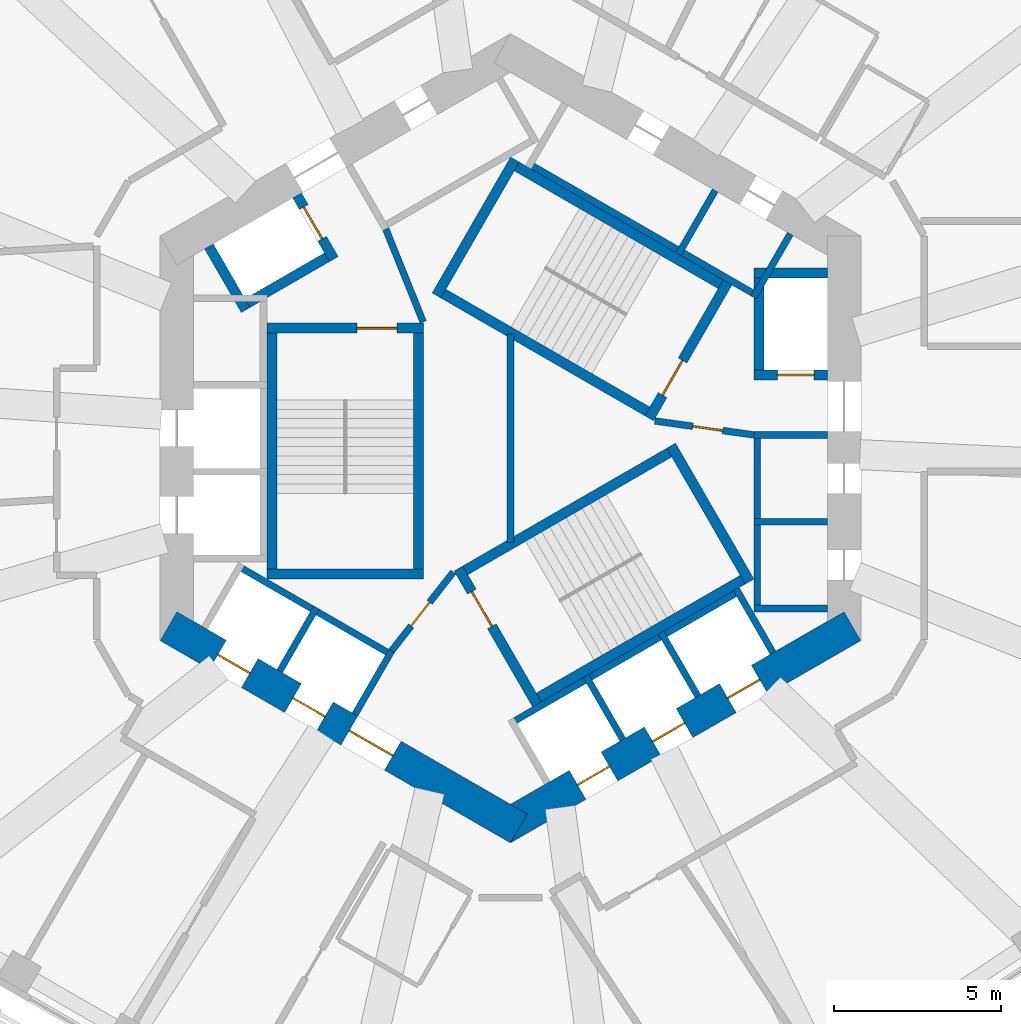
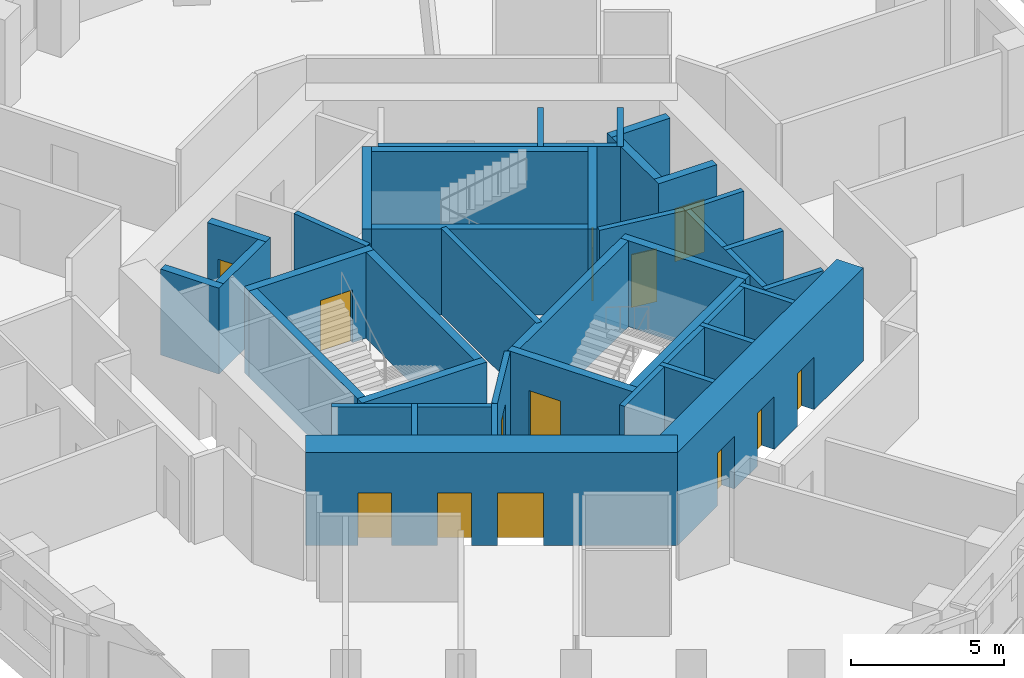
# One storey, part 5 of 10: 38 walls, 13 doors, 13 openings.
"""IFC4 building model written with IfcOpenShell, lengths in metres."""

from ifc_helpers import new_model, si_unit, direction, frame, frame_2d, origin, place, context, subcontext, project, spatial, rectangle, extrude, material, layer, layer_set, type_object, element, fill, save


model = new_model("IFC4")

# Units and contexts
model_context = context("Model", 3, precision=1e-05, world=origin(), true_north=direction((0.0, 1.0)))
body_context = subcontext(model_context, "Body", "Model", "MODEL_VIEW")
ifc_project = project(units=[si_unit("LENGTHUNIT", "METRE"), si_unit("AREAUNIT", "SQUARE_METRE"), si_unit("VOLUMEUNIT", "CUBIC_METRE"), si_unit("PLANEANGLEUNIT", "RADIAN"), si_unit("MASSUNIT", "GRAM", prefix="KILO")], contexts=[model_context])

# Site, building, storey
site_placement = place(None, origin())
site = spatial("IfcSite", under=ifc_project, at=site_placement, CompositionType="ELEMENT")
building_placement = place(site_placement, origin())
building = spatial("IfcBuilding", under=site, at=building_placement, Name="Vanh Sen Convention Tower", CompositionType="ELEMENT")
storey_placement = place(building_placement, frame((0.0, 0.0, 161.39990234375)))
storey = spatial("IfcBuildingStorey", under=building, at=storey_placement, Name="L39", CompositionType="ELEMENT", Elevation=161.39990234375)

# Wall, openings, doors
ifc_material_1 = material(Name="Concrete C80/95", Category="concrete")
ifc_layer_1 = layer(ifc_material_1, 1.0)
ifc_layer_set_1 = layer_set([ifc_layer_1], Name="Concrete C80/95")
wall_type_1 = type_object("IfcWallType", Name="Core outer wall 1000 C80/95", PredefinedType="SHEAR", material=ifc_layer_set_1)
wall_1_placement = place(storey_placement, frame((-10.25, -5.629150390625, 0.0), z_axis=(0.0, 0.0, 1.0), x_axis=(0.866022616891, -0.50000482701, 0.0)))
wall_1 = element("IfcWall", 1, at=wall_1_placement, inside=storey, type_object=wall_type_1, Name="Core wall face SW L39", PredefinedType="SHEAR", context=body_context, shape_type="SweptSolid", body=[
    extrude(rectangle(XDim=12.12451171875, YDim=1.0, at=frame_2d((6.062255859375, 0.0))), origin(), (0.0, 0.0, 1.0), 3.7001953125),
])
opening_1_placement = place(wall_1_placement, frame((6.26220703125, 0.0, 0.0)))
opening_1 = element("IfcOpeningElement", 2, at=opening_1_placement, cuts=wall_1, Name="Opening D38003", PredefinedType="OPENING", context=body_context, shape_type="SweptSolid", body=[
    extrude(rectangle(XDim=1.5, YDim=2.10009765625, at=frame_2d((0.75, 1.050048828125))), frame((0.0, 0.510009765625, 0.0), z_axis=(0.0, -1.0, 0.0), x_axis=(1.0, 0.0, 0.0)), (0.0, 0.0, 1.0), 1.02001953125),
])
opening_2_placement = place(wall_1_placement, frame((1.712158203125, 0.0, 0.0)))
opening_2 = element("IfcOpeningElement", 3, at=opening_2_placement, cuts=wall_1, Name="Opening LD-HR3", PredefinedType="OPENING", context=body_context, shape_type="SweptSolid", body=[
    extrude(rectangle(XDim=1.10009765625, YDim=2.10009765625, at=frame_2d((0.550048828125, 1.050048828125))), frame((0.0, 0.510009765625, 0.0), z_axis=(0.0, -1.0, 0.0), x_axis=(1.0, 0.0, 0.0)), (0.0, 0.0, 1.0), 1.02001953125),
])
opening_3_placement = place(wall_1_placement, frame((4.312255859375, 0.0, 0.0)))
opening_3 = element("IfcOpeningElement", 4, at=opening_3_placement, cuts=wall_1, Name="Opening LD-HR4", PredefinedType="OPENING", context=body_context, shape_type="SweptSolid", body=[
    extrude(rectangle(XDim=1.10009765625, YDim=2.10009765625, at=frame_2d((0.550048828125, 1.050048828125))), frame((0.0, 0.510009765625, 0.0), z_axis=(0.0, -1.0, 0.0), x_axis=(1.0, 0.0, 0.0)), (0.0, 0.0, 1.0), 1.02001953125),
])
ifc_material_2 = material(Name="Stainless steel", Category="steel")
door_type_1 = type_object("IfcDoorType", Name="Lift landing door 1100", OperationType="DOUBLE_DOOR_SLIDING", PredefinedType="DOOR", material=ifc_material_2)
door_1_placement = place(opening_2_placement, origin())
door_1 = element("IfcDoor", 5, at=door_1_placement, inside=storey, type_object=door_type_1, Name="Lift HR3 landing door LD-HR3", OperationType="DOUBLE_DOOR_SLIDING", OverallHeight=2.10009765625, OverallWidth=1.10009765625, PredefinedType="DOOR", context=body_context, shape_type="SweptSolid", body=[
    extrude(rectangle(XDim=1.10009765625, YDim=2.10009765625, at=frame_2d((0.550048828125, 1.050048828125))), frame((0.0, 0.02490234375, 0.0), z_axis=(0.0, -1.0, 0.0), x_axis=(1.0, 0.0, 0.0)), (0.0, 0.0, 1.0), 0.050048828125),
])
fill(opening_2, door_1)
door_2_placement = place(opening_3_placement, origin())
door_2 = element("IfcDoor", 6, at=door_2_placement, inside=storey, type_object=door_type_1, Name="Lift HR4 landing door LD-HR4", OperationType="DOUBLE_DOOR_SLIDING", OverallHeight=2.10009765625, OverallWidth=1.10009765625, PredefinedType="DOOR", context=body_context, shape_type="SweptSolid", body=[
    extrude(rectangle(XDim=1.10009765625, YDim=2.10009765625, at=frame_2d((0.550048828125, 1.050048828125))), frame((0.0, 0.02490234375, 0.0), z_axis=(0.0, -1.0, 0.0), x_axis=(1.0, 0.0, 0.0)), (0.0, 0.0, 1.0), 0.050048828125),
])
fill(opening_3, door_2)
ifc_material_3 = material(Name="Steel S355", Category="steel")
door_type_2 = type_object("IfcDoorType", Name="Stair lobby door 1500", OperationType="DOUBLE_DOOR_SINGLE_SWING", PredefinedType="DOOR", material=ifc_material_3)
door_3_placement = place(opening_1_placement, origin())
door_3 = element("IfcDoor", 7, at=door_3_placement, inside=storey, type_object=door_type_2, Name="Stair lobby door D38003", OperationType="DOUBLE_DOOR_SINGLE_SWING", OverallHeight=2.10009765625, OverallWidth=1.5, PredefinedType="DOOR", context=body_context, shape_type="SweptSolid", body=[
    extrude(rectangle(XDim=1.5, YDim=2.10009765625, at=frame_2d((0.75, 1.050048828125))), frame((0.0, 0.02490234375, 0.0), z_axis=(0.0, -1.0, 0.0), x_axis=(1.0, 0.0, 0.0)), (0.0, 0.0, 1.0), 0.050048828125),
])
fill(opening_1, door_3)

wall_2_placement = place(storey_placement, frame((-0.25, -11.69140625, 0.0), z_axis=(0.0, 0.0, 1.0), x_axis=(0.866022616891, 0.50000482701, 0.0)))
wall_2 = element("IfcWall", 8, at=wall_2_placement, inside=storey, type_object=wall_type_1, Name="Core wall face SE L39", PredefinedType="SHEAR", context=body_context, shape_type="SweptSolid", body=[
    extrude(rectangle(XDim=12.12451171875, YDim=1.0, at=frame_2d((6.062255859375, 0.0))), origin(), (0.0, 0.0, 1.0), 3.7001953125),
])
opening_4_placement = place(wall_2_placement, frame((2.6123046875, 0.0, 0.0)))
opening_4 = element("IfcOpeningElement", 9, at=opening_4_placement, cuts=wall_2, Name="Opening LD-HR5", PredefinedType="OPENING", context=body_context, shape_type="SweptSolid", body=[
    extrude(rectangle(XDim=1.10009765625, YDim=2.10009765625, at=frame_2d((0.550048828125, 1.050048828125))), frame((0.0, 0.510009765625, 0.0), z_axis=(0.0, -1.0, 0.0), x_axis=(1.0, 0.0, 0.0)), (0.0, 0.0, 1.0), 1.02001953125),
])
opening_5_placement = place(wall_2_placement, frame((5.212158203125, 0.0, 0.0)))
opening_5 = element("IfcOpeningElement", 10, at=opening_5_placement, cuts=wall_2, Name="Opening LD-HR6", PredefinedType="OPENING", context=body_context, shape_type="SweptSolid", body=[
    extrude(rectangle(XDim=1.10009765625, YDim=2.10009765625, at=frame_2d((0.550048828125, 1.050048828125))), frame((0.0, 0.510009765625, 0.0), z_axis=(0.0, -1.0, 0.0), x_axis=(1.0, 0.0, 0.0)), (0.0, 0.0, 1.0), 1.02001953125),
])
opening_6_placement = place(wall_2_placement, frame((7.812255859375, 0.0, 0.0)))
opening_6 = element("IfcOpeningElement", 11, at=opening_6_placement, cuts=wall_2, Name="Opening LD-SV1", PredefinedType="OPENING", context=body_context, shape_type="SweptSolid", body=[
    extrude(rectangle(XDim=1.10009765625, YDim=2.10009765625, at=frame_2d((0.550048828125, 1.050048828125))), frame((0.0, 0.510009765625, 0.0), z_axis=(0.0, -1.0, 0.0), x_axis=(1.0, 0.0, 0.0)), (0.0, 0.0, 1.0), 1.02001953125),
])
door_4_placement = place(opening_4_placement, origin())
door_4 = element("IfcDoor", 12, at=door_4_placement, inside=storey, type_object=door_type_1, Name="Lift HR5 landing door LD-HR5", OperationType="DOUBLE_DOOR_SLIDING", OverallHeight=2.10009765625, OverallWidth=1.10009765625, PredefinedType="DOOR", context=body_context, shape_type="SweptSolid", body=[
    extrude(rectangle(XDim=1.10009765625, YDim=2.10009765625, at=frame_2d((0.550048828125, 1.050048828125))), frame((0.0, 0.02490234375, 0.0), z_axis=(0.0, -1.0, 0.0), x_axis=(1.0, 0.0, 0.0)), (0.0, 0.0, 1.0), 0.050048828125),
])
fill(opening_4, door_4)
door_5_placement = place(opening_5_placement, origin())
door_5 = element("IfcDoor", 13, at=door_5_placement, inside=storey, type_object=door_type_1, Name="Lift HR6 landing door LD-HR6", OperationType="DOUBLE_DOOR_SLIDING", OverallHeight=2.10009765625, OverallWidth=1.10009765625, PredefinedType="DOOR", context=body_context, shape_type="SweptSolid", body=[
    extrude(rectangle(XDim=1.10009765625, YDim=2.10009765625, at=frame_2d((0.550048828125, 1.050048828125))), frame((0.0, 0.02490234375, 0.0), z_axis=(0.0, -1.0, 0.0), x_axis=(1.0, 0.0, 0.0)), (0.0, 0.0, 1.0), 0.050048828125),
])
fill(opening_5, door_5)
door_6_placement = place(opening_6_placement, origin())
door_6 = element("IfcDoor", 14, at=door_6_placement, inside=storey, type_object=door_type_1, Name="Lift SV1 landing door LD-SV1", OperationType="DOUBLE_DOOR_SLIDING", OverallHeight=2.10009765625, OverallWidth=1.10009765625, PredefinedType="DOOR", context=body_context, shape_type="SweptSolid", body=[
    extrude(rectangle(XDim=1.10009765625, YDim=2.10009765625, at=frame_2d((0.550048828125, 1.050048828125))), frame((0.0, 0.02490234375, 0.0), z_axis=(0.0, -1.0, 0.0), x_axis=(1.0, 0.0, 0.0)), (0.0, 0.0, 1.0), 0.050048828125),
])
fill(opening_6, door_6)

# Wall
ifc_material_4 = material(Name="Masonry blockwork", Category="masonry")
ifc_layer_2 = layer(ifc_material_4, 0.199951171875)
ifc_layer_set_2 = layer_set([ifc_layer_2], Name="Masonry blockwork")
wall_type_2 = type_object("IfcWallType", Name="Core partition 200", PredefinedType="PARTITIONING", material=ifc_layer_set_2)
wall_3_placement = place(storey_placement, frame((0.0, -3.122314453125, 0.0), z_axis=(0.0, 0.0, 1.0), x_axis=(0.0, 1.0, 0.0)))
element("IfcWall", 15, at=wall_3_placement, inside=storey, type_object=wall_type_2, Name="Core partition L39", PredefinedType="PARTITIONING", context=body_context, shape_type="SweptSolid", body=[
    extrude(rectangle(XDim=6.24462890625, YDim=0.199951171875, at=frame_2d((3.122314453125, 0.0))), origin(), (0.0, 0.0, 1.0), 3.420166015625),
])

# Wall, opening, door
ifc_material_5 = material(Name="Concrete C60/75", Category="concrete")
ifc_layer_3 = layer(ifc_material_5, 0.300048828125)
ifc_layer_set_3 = layer_set([ifc_layer_3], Name="Concrete C60/75")
wall_type_3 = type_object("IfcWallType", Name="Fire-fighting lift shaft wall 300", PredefinedType="SHEAR", material=ifc_layer_set_3)
wall_4_placement = place(storey_placement, frame((7.300048828125, 1.89990234375, 0.0), z_axis=(0.0, 0.0, 1.0), x_axis=(1.0, 0.0, 0.0)))
wall_4 = element("IfcWall", 16, at=wall_4_placement, inside=storey, type_object=wall_type_3, Name="Fire-fighting lift shaft wall L39", PredefinedType="SHEAR", context=body_context, shape_type="SweptSolid", body=[
    extrude(rectangle(XDim=2.199951171875, YDim=0.300048828125, at=frame_2d((1.10009765625, 0.0))), origin(), (0.0, 0.0, 1.0), 3.420166015625),
])
opening_7_placement = place(wall_4_placement, frame((0.699951171875, 0.0, 0.0)))
opening_7 = element("IfcOpeningElement", 17, at=opening_7_placement, cuts=wall_4, Name="Opening LD-FF1", PredefinedType="OPENING", context=body_context, shape_type="SweptSolid", body=[
    extrude(rectangle(XDim=1.10009765625, YDim=2.10009765625, at=frame_2d((0.550048828125, 1.050048828125))), frame((0.0, 0.159912109375, 0.0), z_axis=(0.0, -1.0, 0.0), x_axis=(1.0, 0.0, 0.0)), (0.0, 0.0, 1.0), 0.320068359375),
])
door_type_3 = type_object("IfcDoorType", Name="Fire-fighting lift landing door 1100", OperationType="DOUBLE_DOOR_SLIDING", PredefinedType="DOOR", material=ifc_material_2)
door_7_placement = place(opening_7_placement, origin())
door_7 = element("IfcDoor", 18, at=door_7_placement, inside=storey, type_object=door_type_3, Name="Lift FF1 landing door LD-FF1", OperationType="DOUBLE_DOOR_SLIDING", OverallHeight=2.10009765625, OverallWidth=1.10009765625, PredefinedType="DOOR", context=body_context, shape_type="SweptSolid", body=[
    extrude(rectangle(XDim=1.10009765625, YDim=2.10009765625, at=frame_2d((0.550048828125, 1.050048828125))), frame((0.0, 0.02490234375, 0.0), z_axis=(0.0, -1.0, 0.0), x_axis=(1.0, 0.0, 0.0)), (0.0, 0.0, 1.0), 0.050048828125),
])
fill(opening_7, door_7)

# Walls
wall_5_placement = place(storey_placement, frame((7.449951171875, 1.75, 0.0), z_axis=(0.0, 0.0, 1.0), x_axis=(0.0, 1.0, 0.0)))
element("IfcWall", 19, at=wall_5_placement, inside=storey, type_object=wall_type_3, Name="Fire-fighting lift shaft wall L39", PredefinedType="SHEAR", context=body_context, shape_type="SweptSolid", body=[
    extrude(rectangle(XDim=3.35009765625, YDim=0.300048828125, at=frame_2d((1.675048828125, 0.0))), origin(), (0.0, 0.0, 1.0), 3.420166015625),
])
wall_6_placement = place(storey_placement, frame((7.300048828125, 4.949951171875, 0.0), z_axis=(0.0, 0.0, 1.0), x_axis=(1.0, 0.0, 0.0)))
element("IfcWall", 20, at=wall_6_placement, inside=storey, type_object=wall_type_3, Name="Fire-fighting lift shaft wall L39", PredefinedType="SHEAR", context=body_context, shape_type="SweptSolid", body=[
    extrude(rectangle(XDim=2.199951171875, YDim=0.300048828125, at=frame_2d((1.10009765625, 0.0))), origin(), (0.0, 0.0, 1.0), 3.420166015625),
])

# Wall, opening, door
wall_7_placement = place(storey_placement, frame((-5.29541015625, 5.3720703125, 0.0), z_axis=(0.0, 0.0, 1.0), x_axis=(-0.500077893725, 0.86598042715, 0.0)))
wall_7 = element("IfcWall", 21, at=wall_7_placement, inside=storey, type_object=wall_type_3, Name="Fire-fighting lift shaft wall L39", PredefinedType="SHEAR", context=body_context, shape_type="SweptSolid", body=[
    extrude(rectangle(XDim=2.199951171875, YDim=0.300048828125, at=frame_2d((1.10009765625, 0.0))), origin(), (0.0, 0.0, 1.0), 3.420166015625),
])
opening_8_placement = place(wall_7_placement, frame((0.699951171875, 0.0, 0.0)))
opening_8 = element("IfcOpeningElement", 22, at=opening_8_placement, cuts=wall_7, Name="Opening LD-FF2", PredefinedType="OPENING", context=body_context, shape_type="SweptSolid", body=[
    extrude(rectangle(XDim=1.10009765625, YDim=2.10009765625, at=frame_2d((0.550048828125, 1.050048828125))), frame((0.0, 0.159912109375, 0.0), z_axis=(0.0, -1.0, 0.0), x_axis=(1.0, 0.0, 0.0)), (0.0, 0.0, 1.0), 0.320068359375),
])
door_8_placement = place(opening_8_placement, origin())
door_8 = element("IfcDoor", 23, at=door_8_placement, inside=storey, type_object=door_type_3, Name="Lift FF2 landing door LD-FF2", OperationType="DOUBLE_DOOR_SLIDING", OverallHeight=2.10009765625, OverallWidth=1.10009765625, PredefinedType="DOOR", context=body_context, shape_type="SweptSolid", body=[
    extrude(rectangle(XDim=1.10009765625, YDim=2.10009765625, at=frame_2d((0.550048828125, 1.050048828125))), frame((0.0, 0.02490234375, 0.0), z_axis=(0.0, -1.0, 0.0), x_axis=(1.0, 0.0, 0.0)), (0.0, 0.0, 1.0), 0.050048828125),
])
fill(opening_8, door_8)

# Walls
wall_8_placement = place(storey_placement, frame((-5.240478515625, 5.576904296875, 0.0), z_axis=(0.0, 0.0, 1.0), x_axis=(-0.866014461049, -0.500018952895, 0.0)))
element("IfcWall", 24, at=wall_8_placement, inside=storey, type_object=wall_type_3, Name="Fire-fighting lift shaft wall L39", PredefinedType="SHEAR", context=body_context, shape_type="SweptSolid", body=[
    extrude(rectangle(XDim=3.349853515625, YDim=0.300048828125, at=frame_2d((1.6748046875, 0.0))), origin(), (0.0, 0.0, 1.0), 3.420166015625),
])
wall_9_placement = place(storey_placement, frame((-7.936767578125, 3.846923828125, 0.0), z_axis=(0.0, 0.0, 1.0), x_axis=(-0.50002983664, 0.866008176907, 0.0)))
element("IfcWall", 25, at=wall_9_placement, inside=storey, type_object=wall_type_3, Name="Fire-fighting lift shaft wall L39", PredefinedType="SHEAR", context=body_context, shape_type="SweptSolid", body=[
    extrude(rectangle(XDim=2.199951171875, YDim=0.300048828125, at=frame_2d((1.10009765625, 0.0))), origin(), (0.0, 0.0, 1.0), 3.420166015625),
])
ifc_material_6 = material(Name="Concrete C40/50", Category="concrete")
ifc_layer_4 = layer(ifc_material_6, 0.199951171875)
ifc_layer_set_4 = layer_set([ifc_layer_4], Name="Concrete C40/50")
wall_type_4 = type_object("IfcWallType", Name="Lift shaft wall 200", PredefinedType="PARTITIONING", material=ifc_layer_set_4)
wall_10_placement = place(storey_placement, frame((7.39990234375, -5.199951171875, 0.0), z_axis=(0.0, 0.0, 1.0), x_axis=(0.0, 1.0, 0.0)))
element("IfcWall", 26, at=wall_10_placement, inside=storey, type_object=wall_type_4, Name="Lift shaft wall L39", PredefinedType="PARTITIONING", context=body_context, shape_type="SweptSolid", body=[
    extrude(rectangle(XDim=5.39990234375, YDim=0.199951171875, at=frame_2d((2.699951171875, 0.0))), origin(), (0.0, 0.0, 1.0), 3.420166015625),
])
for number, where, z_axis, x_axis, name in (
    (27, (7.300048828125, -5.10009765625, 0.0), (0.0, 0.0, 1.0), (1.0, 0.0, 0.0), "Lift shaft wall L39"),
    (28, (7.300048828125, -2.5, 0.0), (0.0, 0.0, 1.0), (1.0, 0.0, 0.0), "Lift shaft wall L39"),
    (29, (7.300048828125, 0.10009765625, 0.0), (0.0, 0.0, 1.0), (1.0, 0.0, 0.0), "Lift shaft wall L39"),
):
    element("IfcWall", number, at=place(storey_placement, frame(where, z_axis=z_axis, x_axis=x_axis)), inside=storey, type_object=wall_type_4, Name=name, PredefinedType="PARTITIONING", context=body_context, shape_type="SweptSolid", body=[
        extrude(rectangle(XDim=2.199951171875, YDim=0.199951171875, at=frame_2d((1.10009765625, 0.0))), origin(), (0.0, 0.0, 1.0), 3.420166015625),
    ])
wall_11_placement = place(storey_placement, frame((7.423828125, 4.258544921875, 0.0), z_axis=(0.0, 0.0, 1.0), x_axis=(-0.866026010844, 0.49999894854, 0.0)))
element("IfcWall", 30, at=wall_11_placement, inside=storey, type_object=wall_type_4, Name="Lift shaft wall L39", PredefinedType="PARTITIONING", context=body_context, shape_type="SweptSolid", body=[
    extrude(rectangle(XDim=8.0, YDim=0.199951171875, at=frame_2d((4.0, 0.0))), origin(), (0.0, 0.0, 1.0), 3.420166015625),
])
for number, where, z_axis, x_axis, name in (
    (31, (7.287353515625, 4.221923828125, 0.0), (0.0, 0.0, 1.0), (0.499946605688, 0.86605622881, 0.0), "Lift shaft wall L39"),
    (32, (5.03564453125, 5.52197265625, 0.0), (0.0, 0.0, 1.0), (0.499946605688, 0.86605622881, 0.0), "Lift shaft wall L39"),
):
    element("IfcWall", number, at=place(storey_placement, frame(where, z_axis=z_axis, x_axis=x_axis)), inside=storey, type_object=wall_type_4, Name=name, PredefinedType="PARTITIONING", context=body_context, shape_type="SweptSolid", body=[
        extrude(rectangle(XDim=2.199951171875, YDim=0.199951171875, at=frame_2d((1.10009765625, 0.0))), origin(), (0.0, 0.0, 1.0), 3.420166015625),
    ])
wall_12_placement = place(storey_placement, frame((-8.203369140625, -3.80859375, 0.0), z_axis=(0.0, 0.0, 1.0), x_axis=(0.866028230842, -0.499995103361, 0.0)))
element("IfcWall", 33, at=wall_12_placement, inside=storey, type_object=wall_type_4, Name="Lift shaft wall L39", PredefinedType="PARTITIONING", context=body_context, shape_type="SweptSolid", body=[
    extrude(rectangle(XDim=5.39990234375, YDim=0.199951171875, at=frame_2d((2.699951171875, 0.0))), origin(), (0.0, 0.0, 1.0), 3.420166015625),
])
wall_13_placement = place(storey_placement, frame((-5.815185546875, -5.072021484375, 0.0), z_axis=(0.0, 0.0, 1.0), x_axis=(-0.499946605688, -0.86605622881, 0.0)))
element("IfcWall", 34, at=wall_13_placement, inside=storey, type_object=wall_type_4, Name="Lift shaft wall L39", PredefinedType="PARTITIONING", context=body_context, shape_type="SweptSolid", body=[
    extrude(rectangle(XDim=2.199951171875, YDim=0.199951171875, at=frame_2d((1.10009765625, 0.0))), origin(), (0.0, 0.0, 1.0), 3.420166015625),
])
wall_14_placement = place(storey_placement, frame((-3.5634765625, -6.3720703125, 0.0), z_axis=(0.0, 0.0, 1.0), x_axis=(-0.499994660107, -0.866028486751, 0.0)))
element("IfcWall", 35, at=wall_14_placement, inside=storey, type_object=wall_type_4, Name="Lift shaft wall L39", PredefinedType="PARTITIONING", context=body_context, shape_type="SweptSolid", body=[
    extrude(rectangle(XDim=2.19970703125, YDim=0.199951171875, at=frame_2d((1.099853515625, 0.0))), origin(), (0.0, 0.0, 1.0), 3.420166015625),
])
wall_15_placement = place(storey_placement, frame((-0.02392578125, -8.55859375, 0.0), z_axis=(0.0, 0.0, 1.0), x_axis=(0.866026010844, 0.49999894854, 0.0)))
element("IfcWall", 36, at=wall_15_placement, inside=storey, type_object=wall_type_4, Name="Lift shaft wall L39", PredefinedType="PARTITIONING", context=body_context, shape_type="SweptSolid", body=[
    extrude(rectangle(XDim=8.0, YDim=0.199951171875, at=frame_2d((4.0, 0.0))), origin(), (0.0, 0.0, 1.0), 3.420166015625),
])
for number, where, z_axis, x_axis, name in (
    (37, (2.264404296875, -7.1220703125, 0.0), (0.0, 0.0, 1.0), (0.500077893725, -0.86598042715, 0.0), "Lift shaft wall L39"),
    (38, (4.51611328125, -5.822021484375, 0.0), (0.0, 0.0, 1.0), (0.499946605688, -0.86605622881, 0.0), "Lift shaft wall L39"),
    (39, (6.767578125, -4.52197265625, 0.0), (0.0, 0.0, 1.0), (0.50002983664, -0.866008176907, 0.0), "Lift shaft wall L39"),
):
    element("IfcWall", number, at=place(storey_placement, frame(where, z_axis=z_axis, x_axis=x_axis)), inside=storey, type_object=wall_type_4, Name=name, PredefinedType="PARTITIONING", context=body_context, shape_type="SweptSolid", body=[
        extrude(rectangle(XDim=2.199951171875, YDim=0.199951171875, at=frame_2d((1.10009765625, 0.0))), origin(), (0.0, 0.0, 1.0), 3.420166015625),
    ])

# Wall, opening, door
ifc_layer_5 = layer(ifc_material_6, 0.199951171875)
ifc_layer_set_5 = layer_set([ifc_layer_5], Name="Concrete C40/50")
wall_type_5 = type_object("IfcWallType", Name="Stair lobby wall 200", PredefinedType="PARTITIONING", material=ifc_layer_set_5)
wall_16_placement = place(storey_placement, frame((4.327392578125, 0.52099609375, 0.0), z_axis=(0.0, 0.0, 1.0), x_axis=(0.990124376366, -0.14019172346, 0.0)))
wall_16 = element("IfcWall", 40, at=wall_16_placement, inside=storey, type_object=wall_type_5, Name="Stair lobby wall L39", PredefinedType="PARTITIONING", context=body_context, shape_type="SweptSolid", body=[
    extrude(rectangle(XDim=3.002197265625, YDim=0.199951171875, at=frame_2d((1.5009765625, 0.0))), origin(), (0.0, 0.0, 1.0), 3.420166015625),
])
opening_9_placement = place(wall_16_placement, frame((1.14990234375, 0.0, 0.0)))
opening_9 = element("IfcOpeningElement", 41, at=opening_9_placement, cuts=wall_16, Name="Opening D38007", PredefinedType="OPENING", context=body_context, shape_type="SweptSolid", body=[
    extrude(rectangle(XDim=0.89990234375, YDim=2.10009765625, at=frame_2d((0.449951171875, 1.050048828125))), frame((0.0, 0.10986328125, 0.0), z_axis=(0.0, -1.0, 0.0), x_axis=(1.0, 0.0, 0.0)), (0.0, 0.0, 1.0), 0.219970703125),
])
door_type_4 = type_object("IfcDoorType", Name="Plant door 900", OperationType="SINGLE_SWING_LEFT", PredefinedType="DOOR", material=ifc_material_3)
door_9_placement = place(opening_9_placement, origin())
door_9 = element("IfcDoor", 42, at=door_9_placement, inside=storey, type_object=door_type_4, Name="Plant door D38007", OperationType="SINGLE_SWING_LEFT", OverallHeight=2.10009765625, OverallWidth=0.89990234375, PredefinedType="DOOR", context=body_context, shape_type="SweptSolid", body=[
    extrude(rectangle(XDim=0.89990234375, YDim=2.10009765625, at=frame_2d((0.449951171875, 1.050048828125))), frame((0.0, 0.02490234375, 0.0), z_axis=(0.0, -1.0, 0.0), x_axis=(1.0, 0.0, 0.0)), (0.0, 0.0, 1.0), 0.050048828125),
])
fill(opening_9, door_9)

# Wall
wall_17_placement = place(storey_placement, frame((-2.614990234375, 3.487060546875, 0.0), z_axis=(0.0, 0.0, 1.0), x_axis=(-0.373576831041, 0.92759924068, 0.0)))
element("IfcWall", 43, at=wall_17_placement, inside=storey, type_object=wall_type_5, Name="Stair lobby wall L39", PredefinedType="PARTITIONING", context=body_context, shape_type="SweptSolid", body=[
    extrude(rectangle(XDim=3.002197265625, YDim=0.199951171875, at=frame_2d((1.5009765625, 0.0))), origin(), (0.0, 0.0, 1.0), 3.420166015625),
])

# Wall, opening, door
wall_18_placement = place(storey_placement, frame((-1.71240234375, -4.00830078125, 0.0), z_axis=(0.0, 0.0, 1.0), x_axis=(-0.616549420702, -0.787316208287, 0.0)))
wall_18 = element("IfcWall", 44, at=wall_18_placement, inside=storey, type_object=wall_type_5, Name="Stair lobby wall L39", PredefinedType="PARTITIONING", context=body_context, shape_type="SweptSolid", body=[
    extrude(rectangle(XDim=3.002197265625, YDim=0.199951171875, at=frame_2d((1.5009765625, 0.0))), origin(), (0.0, 0.0, 1.0), 3.420166015625),
])
opening_10_placement = place(wall_18_placement, frame((1.14990234375, 0.0, 0.0)))
opening_10 = element("IfcOpeningElement", 45, at=opening_10_placement, cuts=wall_18, Name="Opening D38008", PredefinedType="OPENING", context=body_context, shape_type="SweptSolid", body=[
    extrude(rectangle(XDim=0.89990234375, YDim=2.10009765625, at=frame_2d((0.449951171875, 1.050048828125))), frame((0.0, 0.10986328125, 0.0), z_axis=(0.0, -1.0, 0.0), x_axis=(1.0, 0.0, 0.0)), (0.0, 0.0, 1.0), 0.219970703125),
])
door_10_placement = place(opening_10_placement, origin())
door_10 = element("IfcDoor", 46, at=door_10_placement, inside=storey, type_object=door_type_4, Name="Plant door D38008", OperationType="SINGLE_SWING_LEFT", OverallHeight=2.10009765625, OverallWidth=0.89990234375, PredefinedType="DOOR", context=body_context, shape_type="SweptSolid", body=[
    extrude(rectangle(XDim=0.89990234375, YDim=2.10009765625, at=frame_2d((0.449951171875, 1.050048828125))), frame((0.0, 0.02490234375, 0.0), z_axis=(0.0, -1.0, 0.0), x_axis=(1.0, 0.0, 0.0)), (0.0, 0.0, 1.0), 0.050048828125),
])
fill(opening_10, door_10)

ifc_layer_6 = layer(ifc_material_5, 0.300048828125)
ifc_layer_set_6 = layer_set([ifc_layer_6], Name="Concrete C60/75")
wall_type_6 = type_object("IfcWallType", Name="Stair wall 300", PredefinedType="SHEAR", material=ifc_layer_set_6)
wall_19_placement = place(storey_placement, frame((4.157958984375, 0.601806640625, 0.0), z_axis=(0.0, 0.0, 1.0), x_axis=(0.499977259774, 0.866038532462, 0.0)))
wall_19 = element("IfcWall", 47, at=wall_19_placement, inside=storey, type_object=wall_type_6, Name="Stair wall L39", PredefinedType="SHEAR", context=body_context, shape_type="SweptSolid", body=[
    extrude(rectangle(XDim=4.699951171875, YDim=0.300048828125, at=frame_2d((2.35009765625, 0.0))), origin(), (0.0, 0.0, 1.0), 3.420166015625),
])
opening_11_placement = place(wall_19_placement, frame((0.800048828125, 0.0, 0.0)))
opening_11 = element("IfcOpeningElement", 48, at=opening_11_placement, cuts=wall_19, Name="Opening D38004", PredefinedType="OPENING", context=body_context, shape_type="SweptSolid", body=[
    extrude(rectangle(XDim=1.199951171875, YDim=2.10009765625, at=frame_2d((0.60009765625, 1.050048828125))), frame((0.0, 0.159912109375, 0.0), z_axis=(0.0, -1.0, 0.0), x_axis=(1.0, 0.0, 0.0)), (0.0, 0.0, 1.0), 0.320068359375),
])
door_type_5 = type_object("IfcDoorType", Name="Stair door 1200", OperationType="SINGLE_SWING_RIGHT", PredefinedType="DOOR", material=ifc_material_3)
door_11_placement = place(opening_11_placement, origin())
door_11 = element("IfcDoor", 49, at=door_11_placement, inside=storey, type_object=door_type_5, Name="Stair ST1 door D38004", OperationType="SINGLE_SWING_RIGHT", OverallHeight=2.10009765625, OverallWidth=1.199951171875, PredefinedType="DOOR", context=body_context, shape_type="SweptSolid", body=[
    extrude(rectangle(XDim=1.199951171875, YDim=2.10009765625, at=frame_2d((0.60009765625, 1.050048828125))), frame((0.0, 0.02490234375, 0.0), z_axis=(0.0, -1.0, 0.0), x_axis=(1.0, 0.0, 0.0)), (0.0, 0.0, 1.0), 0.050048828125),
])
fill(opening_11, door_11)

# Walls
wall_20_placement = place(storey_placement, frame((-2.216064453125, 4.28173828125, 0.0), z_axis=(0.0, 0.0, 1.0), x_axis=(0.499977259774, 0.866038532462, 0.0)))
element("IfcWall", 50, at=wall_20_placement, inside=storey, type_object=wall_type_6, Name="Stair wall L39", PredefinedType="SHEAR", context=body_context, shape_type="SweptSolid", body=[
    extrude(rectangle(XDim=4.699951171875, YDim=0.300048828125, at=frame_2d((2.35009765625, 0.0))), origin(), (0.0, 0.0, 1.0), 3.420166015625),
])
for number, where, z_axis, x_axis, name in (
    (51, (4.10302734375, 0.806640625, 0.0), (0.0, 0.0, 1.0), (-0.866027801685, 0.499995846692, 0.0), "Stair wall L39"),
    (52, (6.302978515625, 4.6171875, 0.0), (0.0, 0.0, 1.0), (-0.866027801685, 0.499995846692, 0.0), "Stair wall L39"),
):
    element("IfcWall", number, at=place(storey_placement, frame(where, z_axis=z_axis, x_axis=x_axis)), inside=storey, type_object=wall_type_6, Name=name, PredefinedType="SHEAR", context=body_context, shape_type="SweptSolid", body=[
        extrude(rectangle(XDim=7.06005859375, YDim=0.300048828125, at=frame_2d((3.530029296875, 0.0))), origin(), (0.0, 0.0, 1.0), 3.420166015625),
    ])

# Wall, opening, door
wall_21_placement = place(storey_placement, frame((-2.60009765625, 3.300048828125, 0.0), z_axis=(0.0, 0.0, 1.0), x_axis=(-1.0, 0.0, 0.0)))
wall_21 = element("IfcWall", 53, at=wall_21_placement, inside=storey, type_object=wall_type_6, Name="Stair wall L39", PredefinedType="SHEAR", context=body_context, shape_type="SweptSolid", body=[
    extrude(rectangle(XDim=4.699951171875, YDim=0.300048828125, at=frame_2d((2.35009765625, 0.0))), origin(), (0.0, 0.0, 1.0), 3.420166015625),
])
opening_12_placement = place(wall_21_placement, frame((0.800048828125, 0.0, 0.0)))
opening_12 = element("IfcOpeningElement", 54, at=opening_12_placement, cuts=wall_21, Name="Opening D38005", PredefinedType="OPENING", context=body_context, shape_type="SweptSolid", body=[
    extrude(rectangle(XDim=1.199951171875, YDim=2.10009765625, at=frame_2d((0.60009765625, 1.050048828125))), frame((0.0, 0.159912109375, 0.0), z_axis=(0.0, -1.0, 0.0), x_axis=(1.0, 0.0, 0.0)), (0.0, 0.0, 1.0), 0.320068359375),
])
door_12_placement = place(opening_12_placement, origin())
door_12 = element("IfcDoor", 55, at=door_12_placement, inside=storey, type_object=door_type_5, Name="Stair ST2 door D38005", OperationType="SINGLE_SWING_RIGHT", OverallHeight=2.10009765625, OverallWidth=1.199951171875, PredefinedType="DOOR", context=body_context, shape_type="SweptSolid", body=[
    extrude(rectangle(XDim=1.199951171875, YDim=2.10009765625, at=frame_2d((0.60009765625, 1.050048828125))), frame((0.0, 0.02490234375, 0.0), z_axis=(0.0, -1.0, 0.0), x_axis=(1.0, 0.0, 0.0)), (0.0, 0.0, 1.0), 0.050048828125),
])
fill(opening_12, door_12)

# Walls
wall_22_placement = place(storey_placement, frame((-2.60009765625, -4.06005859375, 0.0), z_axis=(0.0, 0.0, 1.0), x_axis=(-1.0, 0.0, 0.0)))
element("IfcWall", 56, at=wall_22_placement, inside=storey, type_object=wall_type_6, Name="Stair wall L39", PredefinedType="SHEAR", context=body_context, shape_type="SweptSolid", body=[
    extrude(rectangle(XDim=4.699951171875, YDim=0.300048828125, at=frame_2d((2.35009765625, 0.0))), origin(), (0.0, 0.0, 1.0), 3.420166015625),
])
for number, where, z_axis, x_axis, name in (
    (57, (-2.75, 3.14990234375, 0.0), (0.0, 0.0, 1.0), (0.0, -1.0, 0.0), "Stair wall L39"),
    (58, (-7.14990234375, 3.14990234375, 0.0), (0.0, 0.0, 1.0), (0.0, -1.0, 0.0), "Stair wall L39"),
):
    element("IfcWall", number, at=place(storey_placement, frame(where, z_axis=z_axis, x_axis=x_axis)), inside=storey, type_object=wall_type_6, Name=name, PredefinedType="SHEAR", context=body_context, shape_type="SweptSolid", body=[
        extrude(rectangle(XDim=7.059814453125, YDim=0.300048828125, at=frame_2d((3.52978515625, 0.0))), origin(), (0.0, 0.0, 1.0), 3.420166015625),
    ])

# Wall, opening, door
wall_23_placement = place(storey_placement, frame((-1.557861328125, -3.901611328125, 0.0), z_axis=(0.0, 0.0, 1.0), x_axis=(0.499977259774, -0.866038532462, 0.0)))
wall_23 = element("IfcWall", 59, at=wall_23_placement, inside=storey, type_object=wall_type_6, Name="Stair wall L39", PredefinedType="SHEAR", context=body_context, shape_type="SweptSolid", body=[
    extrude(rectangle(XDim=4.699951171875, YDim=0.300048828125, at=frame_2d((2.35009765625, 0.0))), origin(), (0.0, 0.0, 1.0), 3.420166015625),
])
opening_13_placement = place(wall_23_placement, frame((0.800048828125, 0.0, 0.0)))
opening_13 = element("IfcOpeningElement", 60, at=opening_13_placement, cuts=wall_23, Name="Opening D38006", PredefinedType="OPENING", context=body_context, shape_type="SweptSolid", body=[
    extrude(rectangle(XDim=1.199951171875, YDim=2.10009765625, at=frame_2d((0.60009765625, 1.050048828125))), frame((0.0, 0.159912109375, 0.0), z_axis=(0.0, -1.0, 0.0), x_axis=(1.0, 0.0, 0.0)), (0.0, 0.0, 1.0), 0.320068359375),
])
door_13_placement = place(opening_13_placement, origin())
door_13 = element("IfcDoor", 61, at=door_13_placement, inside=storey, type_object=door_type_5, Name="Stair ST3 door D38006", OperationType="SINGLE_SWING_RIGHT", OverallHeight=2.10009765625, OverallWidth=1.199951171875, PredefinedType="DOOR", context=body_context, shape_type="SweptSolid", body=[
    extrude(rectangle(XDim=1.199951171875, YDim=2.10009765625, at=frame_2d((0.60009765625, 1.050048828125))), frame((0.0, 0.02490234375, 0.0), z_axis=(0.0, -1.0, 0.0), x_axis=(1.0, 0.0, 0.0)), (0.0, 0.0, 1.0), 0.050048828125),
])
fill(opening_13, door_13)

# Walls
wall_24_placement = place(storey_placement, frame((4.816162109375, -0.2216796875, 0.0), z_axis=(0.0, 0.0, 1.0), x_axis=(0.499977259774, -0.866038532462, 0.0)))
element("IfcWall", 62, at=wall_24_placement, inside=storey, type_object=wall_type_6, Name="Stair wall L39", PredefinedType="SHEAR", context=body_context, shape_type="SweptSolid", body=[
    extrude(rectangle(XDim=4.699951171875, YDim=0.300048828125, at=frame_2d((2.35009765625, 0.0))), origin(), (0.0, 0.0, 1.0), 3.420166015625),
])
for number, where, z_axis, x_axis, name in (
    (63, (-1.35302734375, -3.95654296875, 0.0), (0.0, 0.0, 1.0), (0.866027801685, 0.499995846692, 0.0), "Stair wall L39"),
    (64, (0.846923828125, -7.76708984375, 0.0), (0.0, 0.0, 1.0), (0.866027801685, 0.499995846692, 0.0), "Stair wall L39"),
):
    element("IfcWall", number, at=place(storey_placement, frame(where, z_axis=z_axis, x_axis=x_axis)), inside=storey, type_object=wall_type_6, Name=name, PredefinedType="SHEAR", context=body_context, shape_type="SweptSolid", body=[
        extrude(rectangle(XDim=7.06005859375, YDim=0.300048828125, at=frame_2d((3.530029296875, 0.0))), origin(), (0.0, 0.0, 1.0), 3.420166015625),
    ])

save(model, "model.ifc")
